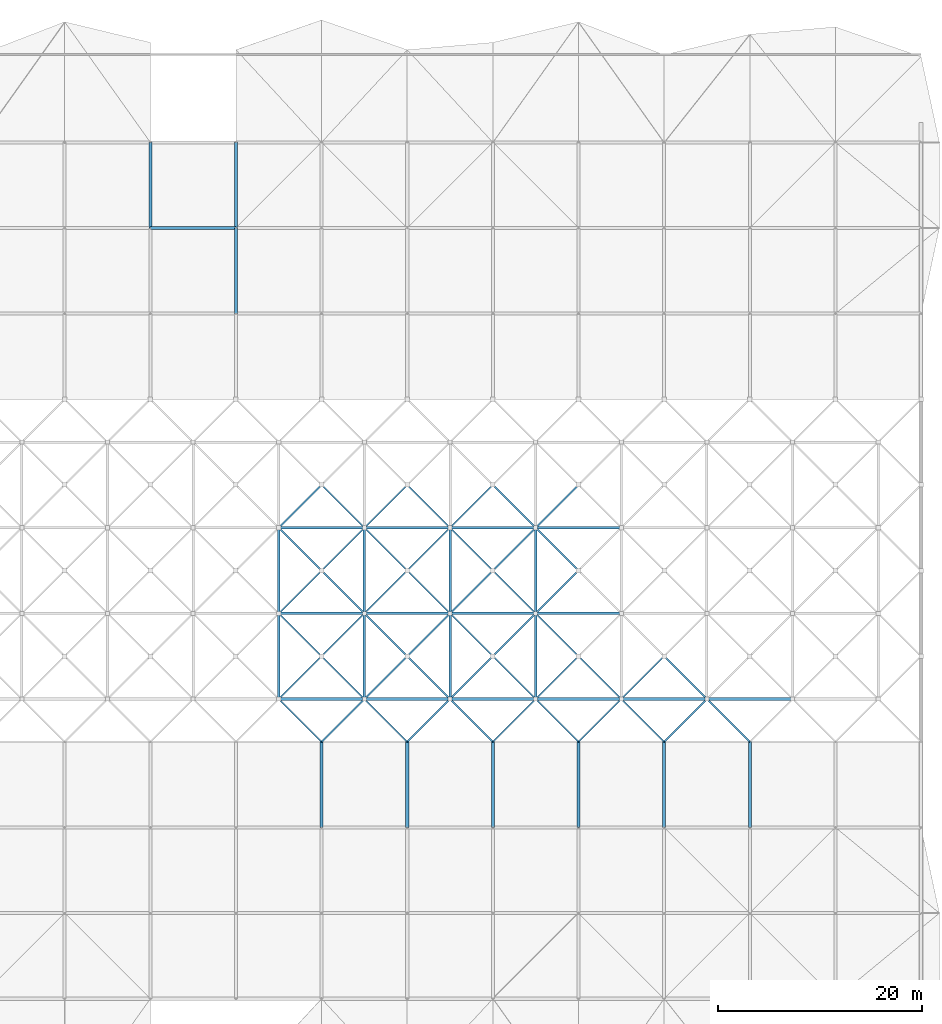
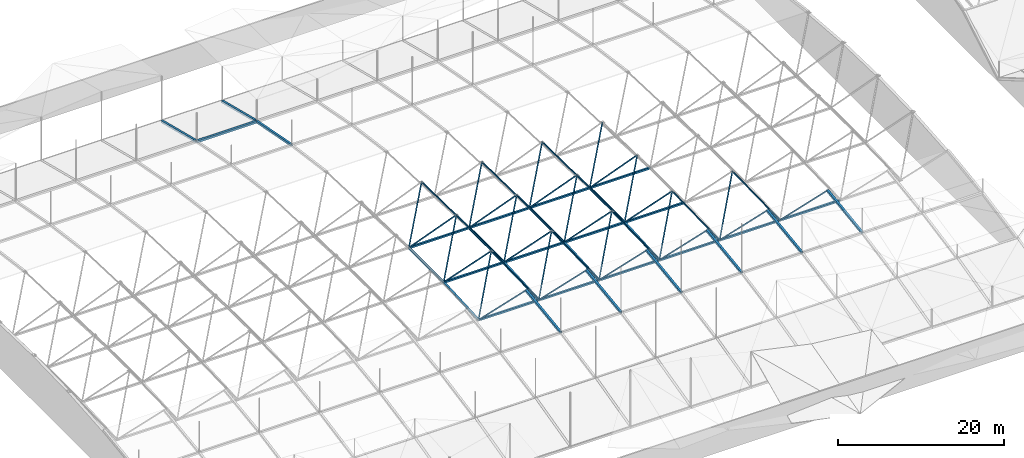
# One storey, part 7 of 111: 81 members.
"""IFC4 building model written with IfcOpenShell, lengths in metres."""

from ifc_helpers import new_model, si_unit, direction, frame, origin, origin_2d, place, context, subcontext, project, spatial, hollow_rectangle, extrude, material, material_profile, profile_set, type_object, element, save


model = new_model("IFC4")

# Units and contexts
model_context = context("Model", 3, precision=1e-05, world=origin(), true_north=direction((0.0, 1.0)))
body_context = subcontext(model_context, "Body", "Model", "MODEL_VIEW")
ifc_project = project(units=[si_unit("LENGTHUNIT", "METRE"), si_unit("AREAUNIT", "SQUARE_METRE"), si_unit("VOLUMEUNIT", "CUBIC_METRE"), si_unit("PLANEANGLEUNIT", "RADIAN"), si_unit("MASSUNIT", "GRAM", prefix="KILO")], contexts=[model_context])

# Site, building, storey
site_placement = place(None, origin())
site = spatial("IfcSite", under=ifc_project, at=site_placement, CompositionType="ELEMENT")
building_placement = place(site_placement, origin())
building = spatial("IfcBuilding", under=site, at=building_placement, Name="Rain Tree Exposition and Congress Centre", CompositionType="ELEMENT")
storey_placement = place(building_placement, frame((0.0, 0.0, 19.5)))
storey = spatial("IfcBuildingStorey", under=building, at=storey_placement, Name="RF", CompositionType="ELEMENT", Elevation=19.5)

# Members
ifc_material_1 = material(Name="Steel S355J2H", Category="steel")
ifc_material_profile_1 = material_profile(ifc_material_1, hollow_rectangle(XDim=0.14990234375, YDim=0.14990234375, WallThickness=0.00439453125, at=origin_2d()), Name="RHS 150x150x4.5")
ifc_profile_set_1 = profile_set([ifc_material_profile_1], Name="Steel S355J2H")
member_type_1 = type_object("IfcMemberType", Name="Steel brace member RHS 150x150x4.5", PredefinedType="BRACE", material=ifc_profile_set_1)
member_1_placement = place(storey_placement, frame((63.0, 138.60009765625, 0.38818359375), z_axis=(0.520964500452, -0.520994783804, 0.676136394907), x_axis=(0.707127332136, 0.70708622964, 0.0)))
element("IfcMember", 1, at=member_1_placement, inside=storey, type_object=member_type_1, Name="Diagonal 732", PredefinedType="BRACE", context=body_context, shape_type="SweptSolid", body=[
    extrude(hollow_rectangle(XDim=0.14990234375, YDim=0.14990234375, WallThickness=0.00439453125, at=origin_2d()), origin(), (0.0, 0.0, 1.0), 8.061767578125),
])
member_2_placement = place(storey_placement, frame((63.0, 138.60009765625, 0.38818359375), z_axis=(0.491865231884, 0.491865231884, 0.718426883773), x_axis=(-0.707106781187, 0.707106781187, 0.0)))
element("IfcMember", 2, at=member_2_placement, inside=storey, type_object=member_type_1, Name="Diagonal 734", PredefinedType="BRACE", context=body_context, shape_type="SweptSolid", body=[
    extrude(hollow_rectangle(XDim=0.14990234375, YDim=0.14990234375, WallThickness=0.00439453125, at=origin_2d()), origin(), (0.0, 0.0, 1.0), 8.538818359375),
])
member_3_placement = place(storey_placement, frame((71.39990234375, 138.60009765625, 0.38818359375), z_axis=(-0.520964500452, -0.520994783804, 0.676136394907), x_axis=(0.707127332136, -0.70708622964, 0.0)))
element("IfcMember", 3, at=member_3_placement, inside=storey, type_object=member_type_1, Name="Diagonal 737", PredefinedType="BRACE", context=body_context, shape_type="SweptSolid", body=[
    extrude(hollow_rectangle(XDim=0.14990234375, YDim=0.14990234375, WallThickness=0.00439453125, at=origin_2d()), origin(), (0.0, 0.0, 1.0), 8.061767578125),
])
member_4_placement = place(storey_placement, frame((71.39990234375, 138.60009765625, 0.38818359375), z_axis=(0.520986564258, -0.520986564258, 0.676125727749), x_axis=(0.707106781187, 0.707106781187, 0.0)))
element("IfcMember", 4, at=member_4_placement, inside=storey, type_object=member_type_1, Name="Diagonal 738", PredefinedType="BRACE", context=body_context, shape_type="SweptSolid", body=[
    extrude(hollow_rectangle(XDim=0.14990234375, YDim=0.14990234375, WallThickness=0.00439453125, at=origin_2d()), origin(), (0.0, 0.0, 1.0), 8.06201171875),
])
member_5_placement = place(storey_placement, frame((71.39990234375, 138.60009765625, 0.38818359375), z_axis=(-0.491865231884, 0.491865231884, 0.718426883773), x_axis=(-0.707106781187, -0.707106781187, 0.0)))
element("IfcMember", 5, at=member_5_placement, inside=storey, type_object=member_type_1, Name="Diagonal 739", PredefinedType="BRACE", context=body_context, shape_type="SweptSolid", body=[
    extrude(hollow_rectangle(XDim=0.14990234375, YDim=0.14990234375, WallThickness=0.00439453125, at=origin_2d()), origin(), (0.0, 0.0, 1.0), 8.538818359375),
])
member_6_placement = place(storey_placement, frame((71.39990234375, 138.60009765625, 0.38818359375), z_axis=(0.491886905994, 0.491858314567, 0.718416780221), x_axis=(-0.70708622964, 0.707127332136, 0.0)))
element("IfcMember", 6, at=member_6_placement, inside=storey, type_object=member_type_1, Name="Diagonal 740", PredefinedType="BRACE", context=body_context, shape_type="SweptSolid", body=[
    extrude(hollow_rectangle(XDim=0.14990234375, YDim=0.14990234375, WallThickness=0.00439453125, at=origin_2d()), origin(), (0.0, 0.0, 1.0), 8.5390625),
])
for number, where, z_axis, x_axis, name in (
    (7, (79.800048828125, 138.60009765625, 0.38818359375), (-0.520964500452, -0.520994783804, 0.676136394907), (0.707127332136, -0.70708622964, 0.0), "Diagonal 743"),
    (8, (79.800048828125, 138.60009765625, 0.38818359375), (0.520964500452, -0.520994783804, 0.676136394907), (0.707127332136, 0.70708622964, 0.0), "Diagonal 744"),
):
    element("IfcMember", number, at=place(storey_placement, frame(where, z_axis=z_axis, x_axis=x_axis)), inside=storey, type_object=member_type_1, Name=name, PredefinedType="BRACE", context=body_context, shape_type="SweptSolid", body=[
        extrude(hollow_rectangle(XDim=0.14990234375, YDim=0.14990234375, WallThickness=0.00439453125, at=origin_2d()), origin(), (0.0, 0.0, 1.0), 8.061767578125),
    ])
for number, where, z_axis, x_axis, name in (
    (9, (79.800048828125, 138.60009765625, 0.38818359375), (-0.491865231884, 0.491865231884, 0.718426883773), (-0.707106781187, -0.707106781187, 0.0), "Diagonal 745"),
    (10, (79.800048828125, 138.60009765625, 0.38818359375), (0.491865231884, 0.491865231884, 0.718426883773), (-0.707106781187, 0.707106781187, 0.0), "Diagonal 746"),
):
    element("IfcMember", number, at=place(storey_placement, frame(where, z_axis=z_axis, x_axis=x_axis)), inside=storey, type_object=member_type_1, Name=name, PredefinedType="BRACE", context=body_context, shape_type="SweptSolid", body=[
        extrude(hollow_rectangle(XDim=0.14990234375, YDim=0.14990234375, WallThickness=0.00439453125, at=origin_2d()), origin(), (0.0, 0.0, 1.0), 8.538818359375),
    ])
for number, where, z_axis, x_axis, name in (
    (11, (88.199951171875, 138.60009765625, 0.38818359375), (-0.520964500452, -0.520994783804, 0.676136394907), (0.707127332136, -0.70708622964, 0.0), "Diagonal 749"),
    (12, (88.199951171875, 138.60009765625, 0.38818359375), (0.520964500452, -0.520994783804, 0.676136394907), (0.707127332136, 0.70708622964, 0.0), "Diagonal 750"),
):
    element("IfcMember", number, at=place(storey_placement, frame(where, z_axis=z_axis, x_axis=x_axis)), inside=storey, type_object=member_type_1, Name=name, PredefinedType="BRACE", context=body_context, shape_type="SweptSolid", body=[
        extrude(hollow_rectangle(XDim=0.14990234375, YDim=0.14990234375, WallThickness=0.00439453125, at=origin_2d()), origin(), (0.0, 0.0, 1.0), 8.061767578125),
    ])
for number, where, z_axis, x_axis, name in (
    (13, (88.199951171875, 138.60009765625, 0.38818359375), (-0.491865231884, 0.491865231884, 0.718426883773), (-0.707106781187, -0.707106781187, 0.0), "Diagonal 751"),
    (14, (88.199951171875, 138.60009765625, 0.38818359375), (0.491865231884, 0.491865231884, 0.718426883773), (-0.707106781187, 0.707106781187, 0.0), "Diagonal 752"),
):
    element("IfcMember", number, at=place(storey_placement, frame(where, z_axis=z_axis, x_axis=x_axis)), inside=storey, type_object=member_type_1, Name=name, PredefinedType="BRACE", context=body_context, shape_type="SweptSolid", body=[
        extrude(hollow_rectangle(XDim=0.14990234375, YDim=0.14990234375, WallThickness=0.00439453125, at=origin_2d()), origin(), (0.0, 0.0, 1.0), 8.538818359375),
    ])
member_7_placement = place(storey_placement, frame((96.60009765625, 138.60009765625, 0.38818359375), z_axis=(-0.520986564258, -0.520986564258, 0.676125727749), x_axis=(0.707106781187, -0.707106781187, 0.0)))
element("IfcMember", 15, at=member_7_placement, inside=storey, type_object=member_type_1, Name="Diagonal 755", PredefinedType="BRACE", context=body_context, shape_type="SweptSolid", body=[
    extrude(hollow_rectangle(XDim=0.14990234375, YDim=0.14990234375, WallThickness=0.00439453125, at=origin_2d()), origin(), (0.0, 0.0, 1.0), 8.06201171875),
])
member_8_placement = place(storey_placement, frame((96.60009765625, 138.60009765625, 0.38818359375), z_axis=(0.520964500452, -0.520994783804, 0.676136394907), x_axis=(0.707127332136, 0.70708622964, 0.0)))
element("IfcMember", 16, at=member_8_placement, inside=storey, type_object=member_type_1, Name="Diagonal 756", PredefinedType="BRACE", context=body_context, shape_type="SweptSolid", body=[
    extrude(hollow_rectangle(XDim=0.14990234375, YDim=0.14990234375, WallThickness=0.00439453125, at=origin_2d()), origin(), (0.0, 0.0, 1.0), 8.061767578125),
])
member_9_placement = place(storey_placement, frame((96.60009765625, 138.60009765625, 0.38818359375), z_axis=(-0.491886905994, 0.491858314567, 0.718416780221), x_axis=(-0.70708622964, -0.707127332136, 0.0)))
element("IfcMember", 17, at=member_9_placement, inside=storey, type_object=member_type_1, Name="Diagonal 757", PredefinedType="BRACE", context=body_context, shape_type="SweptSolid", body=[
    extrude(hollow_rectangle(XDim=0.14990234375, YDim=0.14990234375, WallThickness=0.00439453125, at=origin_2d()), origin(), (0.0, 0.0, 1.0), 8.5390625),
])
member_10_placement = place(storey_placement, frame((96.60009765625, 138.60009765625, 0.38818359375), z_axis=(0.491865231884, 0.491865231884, 0.718426883773), x_axis=(-0.707106781187, 0.707106781187, 0.0)))
element("IfcMember", 18, at=member_10_placement, inside=storey, type_object=member_type_1, Name="Diagonal 758", PredefinedType="BRACE", context=body_context, shape_type="SweptSolid", body=[
    extrude(hollow_rectangle(XDim=0.14990234375, YDim=0.14990234375, WallThickness=0.00439453125, at=origin_2d()), origin(), (0.0, 0.0, 1.0), 8.538818359375),
])
for number, where, z_axis, x_axis, name in (
    (19, (105.0, 138.60009765625, 0.38818359375), (-0.520964500452, -0.520994783804, 0.676136394907), (0.707127332136, -0.70708622964, 0.0), "Diagonal 761"),
    (20, (105.0, 138.60009765625, 0.38818359375), (0.520964500452, -0.520994783804, 0.676136394907), (0.707127332136, 0.70708622964, 0.0), "Diagonal 762"),
):
    element("IfcMember", number, at=place(storey_placement, frame(where, z_axis=z_axis, x_axis=x_axis)), inside=storey, type_object=member_type_1, Name=name, PredefinedType="BRACE", context=body_context, shape_type="SweptSolid", body=[
        extrude(hollow_rectangle(XDim=0.14990234375, YDim=0.14990234375, WallThickness=0.00439453125, at=origin_2d()), origin(), (0.0, 0.0, 1.0), 8.061767578125),
    ])
member_11_placement = place(storey_placement, frame((105.0, 138.60009765625, 0.38818359375), z_axis=(-0.491865231884, 0.491865231884, 0.718426883773), x_axis=(-0.707106781187, -0.707106781187, 0.0)))
element("IfcMember", 21, at=member_11_placement, inside=storey, type_object=member_type_1, Name="Diagonal 763", PredefinedType="BRACE", context=body_context, shape_type="SweptSolid", body=[
    extrude(hollow_rectangle(XDim=0.14990234375, YDim=0.14990234375, WallThickness=0.00439453125, at=origin_2d()), origin(), (0.0, 0.0, 1.0), 8.538818359375),
])
member_12_placement = place(storey_placement, frame((63.0, 147.0, 0.84326171875), z_axis=(0.511068324122, -0.511068324122, 0.691099367788), x_axis=(0.707106781187, 0.707106781187, 0.0)))
element("IfcMember", 22, at=member_12_placement, inside=storey, type_object=member_type_1, Name="Diagonal 815", PredefinedType="BRACE", context=body_context, shape_type="SweptSolid", body=[
    extrude(hollow_rectangle(XDim=0.14990234375, YDim=0.14990234375, WallThickness=0.00439453125, at=origin_2d()), origin(), (0.0, 0.0, 1.0), 8.218017578125),
])
member_13_placement = place(storey_placement, frame((63.0, 147.0, 0.84326171875), z_axis=(0.501386241307, 0.501386241307, 0.705140889507), x_axis=(-0.707106781187, 0.707106781187, 0.0)))
element("IfcMember", 23, at=member_13_placement, inside=storey, type_object=member_type_1, Name="Diagonal 817", PredefinedType="BRACE", context=body_context, shape_type="SweptSolid", body=[
    extrude(hollow_rectangle(XDim=0.14990234375, YDim=0.14990234375, WallThickness=0.00439453125, at=origin_2d()), origin(), (0.0, 0.0, 1.0), 8.376708984375),
])
for number, where, z_axis, x_axis, name in (
    (24, (71.39990234375, 147.0, 0.84326171875), (-0.511068324122, -0.511068324122, 0.691099367788), (0.707106781187, -0.707106781187, 0.0), "Diagonal 820"),
    (25, (71.39990234375, 147.0, 0.84326171875), (0.511090272234, -0.511060564592, 0.691088874854), (0.70708622964, 0.707127332136, 0.0), "Diagonal 821"),
):
    element("IfcMember", number, at=place(storey_placement, frame(where, z_axis=z_axis, x_axis=x_axis)), inside=storey, type_object=member_type_1, Name=name, PredefinedType="BRACE", context=body_context, shape_type="SweptSolid", body=[
        extrude(hollow_rectangle(XDim=0.14990234375, YDim=0.14990234375, WallThickness=0.00439453125, at=origin_2d()), origin(), (0.0, 0.0, 1.0), 8.218017578125),
    ])
for number, where, z_axis, x_axis, name in (
    (26, (71.39990234375, 147.0, 0.84326171875), (-0.501386241307, 0.501386241307, 0.705140889507), (-0.707106781187, -0.707106781187, 0.0), "Diagonal 822"),
    (27, (71.39990234375, 147.0, 0.84326171875), (0.50140805933, 0.501378914477, 0.70513058518), (-0.70708622964, 0.707127332136, 0.0), "Diagonal 823"),
):
    element("IfcMember", number, at=place(storey_placement, frame(where, z_axis=z_axis, x_axis=x_axis)), inside=storey, type_object=member_type_1, Name=name, PredefinedType="BRACE", context=body_context, shape_type="SweptSolid", body=[
        extrude(hollow_rectangle(XDim=0.14990234375, YDim=0.14990234375, WallThickness=0.00439453125, at=origin_2d()), origin(), (0.0, 0.0, 1.0), 8.376708984375),
    ])
for number, where, z_axis, x_axis, name in (
    (28, (79.800048828125, 147.0, 0.84326171875), (-0.511068324122, -0.511068324122, 0.691099367788), (0.707106781187, -0.707106781187, 0.0), "Diagonal 826"),
    (29, (79.800048828125, 147.0, 0.84326171875), (0.511068324122, -0.511068324122, 0.691099367788), (0.707106781187, 0.707106781187, 0.0), "Diagonal 827"),
):
    element("IfcMember", number, at=place(storey_placement, frame(where, z_axis=z_axis, x_axis=x_axis)), inside=storey, type_object=member_type_1, Name=name, PredefinedType="BRACE", context=body_context, shape_type="SweptSolid", body=[
        extrude(hollow_rectangle(XDim=0.14990234375, YDim=0.14990234375, WallThickness=0.00439453125, at=origin_2d()), origin(), (0.0, 0.0, 1.0), 8.218017578125),
    ])
for number, where, z_axis, x_axis, name in (
    (30, (79.800048828125, 147.0, 0.84326171875), (-0.501386241307, 0.501386241307, 0.705140889507), (-0.707106781187, -0.707106781187, 0.0), "Diagonal 828"),
    (31, (79.800048828125, 147.0, 0.84326171875), (0.501386241307, 0.501386241307, 0.705140889507), (-0.707106781187, 0.707106781187, 0.0), "Diagonal 829"),
):
    element("IfcMember", number, at=place(storey_placement, frame(where, z_axis=z_axis, x_axis=x_axis)), inside=storey, type_object=member_type_1, Name=name, PredefinedType="BRACE", context=body_context, shape_type="SweptSolid", body=[
        extrude(hollow_rectangle(XDim=0.14990234375, YDim=0.14990234375, WallThickness=0.00439453125, at=origin_2d()), origin(), (0.0, 0.0, 1.0), 8.376708984375),
    ])
for number, where, z_axis, x_axis, name in (
    (32, (88.199951171875, 147.0, 0.84326171875), (-0.511068324122, -0.511068324122, 0.691099367788), (0.707106781187, -0.707106781187, 0.0), "Diagonal 832"),
    (33, (88.199951171875, 147.0, 0.84326171875), (0.511068324122, -0.511068324122, 0.691099367788), (0.707106781187, 0.707106781187, 0.0), "Diagonal 833"),
):
    element("IfcMember", number, at=place(storey_placement, frame(where, z_axis=z_axis, x_axis=x_axis)), inside=storey, type_object=member_type_1, Name=name, PredefinedType="BRACE", context=body_context, shape_type="SweptSolid", body=[
        extrude(hollow_rectangle(XDim=0.14990234375, YDim=0.14990234375, WallThickness=0.00439453125, at=origin_2d()), origin(), (0.0, 0.0, 1.0), 8.218017578125),
    ])
for number, where, z_axis, x_axis, name in (
    (34, (88.199951171875, 147.0, 0.84326171875), (-0.501386241307, 0.501386241307, 0.705140889507), (-0.707106781187, -0.707106781187, 0.0), "Diagonal 834"),
    (35, (88.199951171875, 147.0, 0.84326171875), (0.501386241307, 0.501386241307, 0.705140889507), (-0.707106781187, 0.707106781187, 0.0), "Diagonal 835"),
    (36, (63.0, 155.39990234375, 0.84326171875), (0.501386241307, -0.501386241307, 0.705140889507), (0.707106781187, 0.707106781187, 0.0), "Diagonal 898"),
):
    element("IfcMember", number, at=place(storey_placement, frame(where, z_axis=z_axis, x_axis=x_axis)), inside=storey, type_object=member_type_1, Name=name, PredefinedType="BRACE", context=body_context, shape_type="SweptSolid", body=[
        extrude(hollow_rectangle(XDim=0.14990234375, YDim=0.14990234375, WallThickness=0.00439453125, at=origin_2d()), origin(), (0.0, 0.0, 1.0), 8.376708984375),
    ])
member_14_placement = place(storey_placement, frame((63.0, 155.39990234375, 0.84326171875), z_axis=(0.511060564592, 0.511090272234, 0.691088874854), x_axis=(-0.707127332136, 0.70708622964, 0.0)))
element("IfcMember", 37, at=member_14_placement, inside=storey, type_object=member_type_1, Name="Diagonal 900", PredefinedType="BRACE", context=body_context, shape_type="SweptSolid", body=[
    extrude(hollow_rectangle(XDim=0.14990234375, YDim=0.14990234375, WallThickness=0.00439453125, at=origin_2d()), origin(), (0.0, 0.0, 1.0), 8.218017578125),
])
for number, where, z_axis, x_axis, name in (
    (38, (71.39990234375, 155.39990234375, 0.84326171875), (-0.501386241307, -0.501386241307, 0.705140889507), (0.707106781187, -0.707106781187, 0.0), "Diagonal 903"),
    (39, (71.39990234375, 155.39990234375, 0.84326171875), (0.50140805933, -0.501378914477, 0.70513058518), (0.70708622964, 0.707127332136, 0.0), "Diagonal 904"),
):
    element("IfcMember", number, at=place(storey_placement, frame(where, z_axis=z_axis, x_axis=x_axis)), inside=storey, type_object=member_type_1, Name=name, PredefinedType="BRACE", context=body_context, shape_type="SweptSolid", body=[
        extrude(hollow_rectangle(XDim=0.14990234375, YDim=0.14990234375, WallThickness=0.00439453125, at=origin_2d()), origin(), (0.0, 0.0, 1.0), 8.376708984375),
    ])
member_15_placement = place(storey_placement, frame((71.39990234375, 155.39990234375, 0.84326171875), z_axis=(-0.511060564592, 0.511090272234, 0.691088874854), x_axis=(-0.707127332136, -0.70708622964, 0.0)))
element("IfcMember", 40, at=member_15_placement, inside=storey, type_object=member_type_1, Name="Diagonal 905", PredefinedType="BRACE", context=body_context, shape_type="SweptSolid", body=[
    extrude(hollow_rectangle(XDim=0.14990234375, YDim=0.14990234375, WallThickness=0.00439453125, at=origin_2d()), origin(), (0.0, 0.0, 1.0), 8.218017578125),
])
member_16_placement = place(storey_placement, frame((71.39990234375, 155.39990234375, 0.84326171875), z_axis=(0.511082512606, 0.511082512606, 0.691078382397), x_axis=(-0.707106781187, 0.707106781187, 0.0)))
element("IfcMember", 41, at=member_16_placement, inside=storey, type_object=member_type_1, Name="Diagonal 906", PredefinedType="BRACE", context=body_context, shape_type="SweptSolid", body=[
    extrude(hollow_rectangle(XDim=0.14990234375, YDim=0.14990234375, WallThickness=0.00439453125, at=origin_2d()), origin(), (0.0, 0.0, 1.0), 8.21826171875),
])
for number, where, z_axis, x_axis, name in (
    (42, (79.800048828125, 155.39990234375, 0.84326171875), (-0.501386241307, -0.501386241307, 0.705140889507), (0.707106781187, -0.707106781187, 0.0), "Diagonal 909"),
    (43, (79.800048828125, 155.39990234375, 0.84326171875), (0.501386241307, -0.501386241307, 0.705140889507), (0.707106781187, 0.707106781187, 0.0), "Diagonal 910"),
):
    element("IfcMember", number, at=place(storey_placement, frame(where, z_axis=z_axis, x_axis=x_axis)), inside=storey, type_object=member_type_1, Name=name, PredefinedType="BRACE", context=body_context, shape_type="SweptSolid", body=[
        extrude(hollow_rectangle(XDim=0.14990234375, YDim=0.14990234375, WallThickness=0.00439453125, at=origin_2d()), origin(), (0.0, 0.0, 1.0), 8.376708984375),
    ])
for number, where, z_axis, x_axis, name in (
    (44, (79.800048828125, 155.39990234375, 0.84326171875), (-0.511060564592, 0.511090272234, 0.691088874854), (-0.707127332136, -0.70708622964, 0.0), "Diagonal 911"),
    (45, (79.800048828125, 155.39990234375, 0.84326171875), (0.511060564592, 0.511090272234, 0.691088874854), (-0.707127332136, 0.70708622964, 0.0), "Diagonal 912"),
):
    element("IfcMember", number, at=place(storey_placement, frame(where, z_axis=z_axis, x_axis=x_axis)), inside=storey, type_object=member_type_1, Name=name, PredefinedType="BRACE", context=body_context, shape_type="SweptSolid", body=[
        extrude(hollow_rectangle(XDim=0.14990234375, YDim=0.14990234375, WallThickness=0.00439453125, at=origin_2d()), origin(), (0.0, 0.0, 1.0), 8.218017578125),
    ])
for number, where, z_axis, x_axis, name in (
    (46, (88.199951171875, 155.39990234375, 0.84326171875), (-0.501386241307, -0.501386241307, 0.705140889507), (0.707106781187, -0.707106781187, 0.0), "Diagonal 915"),
    (47, (88.199951171875, 155.39990234375, 0.84326171875), (0.501386241307, -0.501386241307, 0.705140889507), (0.707106781187, 0.707106781187, 0.0), "Diagonal 916"),
):
    element("IfcMember", number, at=place(storey_placement, frame(where, z_axis=z_axis, x_axis=x_axis)), inside=storey, type_object=member_type_1, Name=name, PredefinedType="BRACE", context=body_context, shape_type="SweptSolid", body=[
        extrude(hollow_rectangle(XDim=0.14990234375, YDim=0.14990234375, WallThickness=0.00439453125, at=origin_2d()), origin(), (0.0, 0.0, 1.0), 8.376708984375),
    ])
for number, where, z_axis, x_axis, name in (
    (48, (88.199951171875, 155.39990234375, 0.84326171875), (-0.511060564592, 0.511090272234, 0.691088874854), (-0.707127332136, -0.70708622964, 0.0), "Diagonal 917"),
    (49, (88.199951171875, 155.39990234375, 0.84326171875), (0.511060564592, 0.511090272234, 0.691088874854), (-0.707127332136, 0.70708622964, 0.0), "Diagonal 918"),
):
    element("IfcMember", number, at=place(storey_placement, frame(where, z_axis=z_axis, x_axis=x_axis)), inside=storey, type_object=member_type_1, Name=name, PredefinedType="BRACE", context=body_context, shape_type="SweptSolid", body=[
        extrude(hollow_rectangle(XDim=0.14990234375, YDim=0.14990234375, WallThickness=0.00439453125, at=origin_2d()), origin(), (0.0, 0.0, 1.0), 8.218017578125),
    ])
ifc_material_2 = material(Name="Steel S355J2H", Category="steel")
ifc_material_profile_2 = material_profile(ifc_material_2, hollow_rectangle(XDim=0.25, YDim=0.25, WallThickness=0.006103515625, at=origin_2d()), Name="RHS 250x250x6")
ifc_profile_set_2 = profile_set([ifc_material_profile_2], Name="Steel S355J2H")
member_type_2 = type_object("IfcMemberType", Name="Steel chord member RHS 250x250x6", PredefinedType="CHORD", material=ifc_profile_set_2)
member_17_placement = place(storey_placement, frame((63.0, 138.60009765625, 0.38818359375), z_axis=(1.0, 0.0, 0.0), x_axis=(0.0, 1.0, 0.0)))
element("IfcMember", 50, at=member_17_placement, inside=storey, type_object=member_type_2, Name="Bottom chord 735", PredefinedType="CHORD", context=body_context, shape_type="SweptSolid", body=[
    extrude(hollow_rectangle(XDim=0.25, YDim=0.25, WallThickness=0.006103515625, at=origin_2d()), origin(), (0.0, 0.0, 1.0), 8.39990234375),
])
member_18_placement = place(storey_placement, frame((63.0, 138.60009765625, 0.38818359375), z_axis=(0.0, 0.998535670844, 0.054097264734), x_axis=(-1.0, 0.0, 0.0)))
element("IfcMember", 51, at=member_18_placement, inside=storey, type_object=member_type_2, Name="Bottom chord 736", PredefinedType="CHORD", context=body_context, shape_type="SweptSolid", body=[
    extrude(hollow_rectangle(XDim=0.25, YDim=0.25, WallThickness=0.006103515625, at=origin_2d()), origin(), (0.0, 0.0, 1.0), 8.412109375),
])
member_19_placement = place(storey_placement, frame((71.39990234375, 138.60009765625, 0.38818359375), z_axis=(1.0, 0.0, 0.0), x_axis=(0.0, 1.0, 0.0)))
element("IfcMember", 52, at=member_19_placement, inside=storey, type_object=member_type_2, Name="Bottom chord 741", PredefinedType="CHORD", context=body_context, shape_type="SweptSolid", body=[
    extrude(hollow_rectangle(XDim=0.25, YDim=0.25, WallThickness=0.006103515625, at=origin_2d()), origin(), (0.0, 0.0, 1.0), 8.400146484375),
])
member_20_placement = place(storey_placement, frame((71.39990234375, 138.60009765625, 0.38818359375), z_axis=(0.0, 0.998535670844, 0.054097264734), x_axis=(-1.0, 0.0, 0.0)))
element("IfcMember", 53, at=member_20_placement, inside=storey, type_object=member_type_2, Name="Bottom chord 742", PredefinedType="CHORD", context=body_context, shape_type="SweptSolid", body=[
    extrude(hollow_rectangle(XDim=0.25, YDim=0.25, WallThickness=0.006103515625, at=origin_2d()), origin(), (0.0, 0.0, 1.0), 8.412109375),
])
member_21_placement = place(storey_placement, frame((79.800048828125, 138.60009765625, 0.38818359375), z_axis=(1.0, 0.0, 0.0), x_axis=(0.0, 1.0, 0.0)))
element("IfcMember", 54, at=member_21_placement, inside=storey, type_object=member_type_2, Name="Bottom chord 747", PredefinedType="CHORD", context=body_context, shape_type="SweptSolid", body=[
    extrude(hollow_rectangle(XDim=0.25, YDim=0.25, WallThickness=0.006103515625, at=origin_2d()), origin(), (0.0, 0.0, 1.0), 8.39990234375),
])
member_22_placement = place(storey_placement, frame((79.800048828125, 138.60009765625, 0.38818359375), z_axis=(0.0, 0.998535670844, 0.054097264734), x_axis=(-1.0, 0.0, 0.0)))
element("IfcMember", 55, at=member_22_placement, inside=storey, type_object=member_type_2, Name="Bottom chord 748", PredefinedType="CHORD", context=body_context, shape_type="SweptSolid", body=[
    extrude(hollow_rectangle(XDim=0.25, YDim=0.25, WallThickness=0.006103515625, at=origin_2d()), origin(), (0.0, 0.0, 1.0), 8.412109375),
])
member_23_placement = place(storey_placement, frame((88.199951171875, 138.60009765625, 0.38818359375), z_axis=(1.0, 0.0, 0.0), x_axis=(0.0, 1.0, 0.0)))
element("IfcMember", 56, at=member_23_placement, inside=storey, type_object=member_type_2, Name="Bottom chord 753", PredefinedType="CHORD", context=body_context, shape_type="SweptSolid", body=[
    extrude(hollow_rectangle(XDim=0.25, YDim=0.25, WallThickness=0.006103515625, at=origin_2d()), origin(), (0.0, 0.0, 1.0), 8.400146484375),
])
member_24_placement = place(storey_placement, frame((88.199951171875, 138.60009765625, 0.38818359375), z_axis=(0.0, 0.998535670844, 0.054097264734), x_axis=(-1.0, 0.0, 0.0)))
element("IfcMember", 57, at=member_24_placement, inside=storey, type_object=member_type_2, Name="Bottom chord 754", PredefinedType="CHORD", context=body_context, shape_type="SweptSolid", body=[
    extrude(hollow_rectangle(XDim=0.25, YDim=0.25, WallThickness=0.006103515625, at=origin_2d()), origin(), (0.0, 0.0, 1.0), 8.412109375),
])
for number, where, z_axis, x_axis, name in (
    (58, (96.60009765625, 138.60009765625, 0.38818359375), (1.0, 0.0, 0.0), (0.0, 1.0, 0.0), "Bottom chord 759"),
    (59, (105.0, 138.60009765625, 0.38818359375), (1.0, 0.0, 0.0), (0.0, 1.0, 0.0), "Bottom chord 765"),
    (60, (63.0, 147.0, 0.84326171875), (1.0, 0.0, 0.0), (0.0, 1.0, 0.0), "Bottom chord 818"),
    (61, (63.0, 147.0, 0.84326171875), (0.0, 1.0, 0.0), (-1.0, 0.0, 0.0), "Bottom chord 819"),
):
    element("IfcMember", number, at=place(storey_placement, frame(where, z_axis=z_axis, x_axis=x_axis)), inside=storey, type_object=member_type_2, Name=name, PredefinedType="CHORD", context=body_context, shape_type="SweptSolid", body=[
        extrude(hollow_rectangle(XDim=0.25, YDim=0.25, WallThickness=0.006103515625, at=origin_2d()), origin(), (0.0, 0.0, 1.0), 8.39990234375),
    ])
member_25_placement = place(storey_placement, frame((71.39990234375, 147.0, 0.84326171875), z_axis=(1.0, 0.0, 0.0), x_axis=(0.0, 1.0, 0.0)))
element("IfcMember", 62, at=member_25_placement, inside=storey, type_object=member_type_2, Name="Bottom chord 824", PredefinedType="CHORD", context=body_context, shape_type="SweptSolid", body=[
    extrude(hollow_rectangle(XDim=0.25, YDim=0.25, WallThickness=0.006103515625, at=origin_2d()), origin(), (0.0, 0.0, 1.0), 8.400146484375),
])
for number, where, z_axis, x_axis, name in (
    (63, (71.39990234375, 147.0, 0.84326171875), (0.0, 1.0, 0.0), (-1.0, 0.0, 0.0), "Bottom chord 825"),
    (64, (79.800048828125, 147.0, 0.84326171875), (1.0, 0.0, 0.0), (0.0, 1.0, 0.0), "Bottom chord 830"),
    (65, (79.800048828125, 147.0, 0.84326171875), (0.0, 1.0, 0.0), (-1.0, 0.0, 0.0), "Bottom chord 831"),
):
    element("IfcMember", number, at=place(storey_placement, frame(where, z_axis=z_axis, x_axis=x_axis)), inside=storey, type_object=member_type_2, Name=name, PredefinedType="CHORD", context=body_context, shape_type="SweptSolid", body=[
        extrude(hollow_rectangle(XDim=0.25, YDim=0.25, WallThickness=0.006103515625, at=origin_2d()), origin(), (0.0, 0.0, 1.0), 8.39990234375),
    ])
member_26_placement = place(storey_placement, frame((88.199951171875, 147.0, 0.84326171875), z_axis=(1.0, 0.0, 0.0), x_axis=(0.0, 1.0, 0.0)))
element("IfcMember", 66, at=member_26_placement, inside=storey, type_object=member_type_2, Name="Bottom chord 836", PredefinedType="CHORD", context=body_context, shape_type="SweptSolid", body=[
    extrude(hollow_rectangle(XDim=0.25, YDim=0.25, WallThickness=0.006103515625, at=origin_2d()), origin(), (0.0, 0.0, 1.0), 8.400146484375),
])
for number, where, z_axis, x_axis, name in (
    (67, (88.199951171875, 147.0, 0.84326171875), (0.0, 1.0, 0.0), (-1.0, 0.0, 0.0), "Bottom chord 837"),
    (68, (63.0, 155.39990234375, 0.84326171875), (1.0, 0.0, 0.0), (0.0, 1.0, 0.0), "Bottom chord 901"),
):
    element("IfcMember", number, at=place(storey_placement, frame(where, z_axis=z_axis, x_axis=x_axis)), inside=storey, type_object=member_type_2, Name=name, PredefinedType="CHORD", context=body_context, shape_type="SweptSolid", body=[
        extrude(hollow_rectangle(XDim=0.25, YDim=0.25, WallThickness=0.006103515625, at=origin_2d()), origin(), (0.0, 0.0, 1.0), 8.39990234375),
    ])
member_27_placement = place(storey_placement, frame((71.39990234375, 155.39990234375, 0.84326171875), z_axis=(1.0, 0.0, 0.0), x_axis=(0.0, 1.0, 0.0)))
element("IfcMember", 69, at=member_27_placement, inside=storey, type_object=member_type_2, Name="Bottom chord 907", PredefinedType="CHORD", context=body_context, shape_type="SweptSolid", body=[
    extrude(hollow_rectangle(XDim=0.25, YDim=0.25, WallThickness=0.006103515625, at=origin_2d()), origin(), (0.0, 0.0, 1.0), 8.400146484375),
])
member_28_placement = place(storey_placement, frame((79.800048828125, 155.39990234375, 0.84326171875), z_axis=(1.0, 0.0, 0.0), x_axis=(0.0, 1.0, 0.0)))
element("IfcMember", 70, at=member_28_placement, inside=storey, type_object=member_type_2, Name="Bottom chord 913", PredefinedType="CHORD", context=body_context, shape_type="SweptSolid", body=[
    extrude(hollow_rectangle(XDim=0.25, YDim=0.25, WallThickness=0.006103515625, at=origin_2d()), origin(), (0.0, 0.0, 1.0), 8.39990234375),
])
member_29_placement = place(storey_placement, frame((88.199951171875, 155.39990234375, 0.84326171875), z_axis=(1.0, 0.0, 0.0), x_axis=(0.0, 1.0, 0.0)))
element("IfcMember", 71, at=member_29_placement, inside=storey, type_object=member_type_2, Name="Bottom chord 919", PredefinedType="CHORD", context=body_context, shape_type="SweptSolid", body=[
    extrude(hollow_rectangle(XDim=0.25, YDim=0.25, WallThickness=0.006103515625, at=origin_2d()), origin(), (0.0, 0.0, 1.0), 8.400146484375),
])
ifc_material_3 = material(Name="Steel S355J2H", Category="steel")
ifc_material_profile_3 = material_profile(ifc_material_3, hollow_rectangle(XDim=0.300048828125, YDim=0.300048828125, WallThickness=0.009033203125, at=origin_2d()), Name="RHS 300x300x9")
ifc_profile_set_3 = profile_set([ifc_material_profile_3], Name="Steel S355J2H")
member_type_3 = type_object("IfcMemberType", Name="Steel chord member RHS 300x300x9", PredefinedType="CHORD", material=ifc_profile_set_3)
member_30_placement = place(storey_placement, frame((50.39990234375, 184.800048828125, 3.07421875), z_axis=(1.0, 0.0, 0.0), x_axis=(0.0, 1.0, 0.0)))
element("IfcMember", 72, at=member_30_placement, inside=storey, type_object=member_type_3, Name="Top chord 146", PredefinedType="CHORD", context=body_context, shape_type="SweptSolid", body=[
    extrude(hollow_rectangle(XDim=0.300048828125, YDim=0.300048828125, WallThickness=0.009033203125, at=origin_2d()), origin(), (0.0, 0.0, 1.0), 8.400146484375),
])
member_31_placement = place(storey_placement, frame((50.39990234375, 184.800048828125, 3.07421875), z_axis=(0.0, 0.969939850681, -0.24334478844), x_axis=(-1.0, 0.0, 0.0)))
element("IfcMember", 73, at=member_31_placement, inside=storey, type_object=member_type_3, Name="Top chord 253", PredefinedType="CHORD", context=body_context, shape_type="SweptSolid", body=[
    extrude(hollow_rectangle(XDim=0.300048828125, YDim=0.300048828125, WallThickness=0.009033203125, at=origin_2d()), origin(), (0.0, 0.0, 1.0), 8.66015625),
])
member_32_placement = place(storey_placement, frame((58.800048828125, 176.39990234375, 4.693115234375), z_axis=(0.0, 0.981930848806, -0.189240080752), x_axis=(-1.0, 0.0, 0.0)))
element("IfcMember", 74, at=member_32_placement, inside=storey, type_object=member_type_3, Name="Top chord 264", PredefinedType="CHORD", context=body_context, shape_type="SweptSolid", body=[
    extrude(hollow_rectangle(XDim=0.300048828125, YDim=0.300048828125, WallThickness=0.009033203125, at=origin_2d()), origin(), (0.0, 0.0, 1.0), 8.5546875),
])
member_33_placement = place(storey_placement, frame((58.800048828125, 184.800048828125, 3.07421875), z_axis=(0.0, 0.969939850681, -0.24334478844), x_axis=(-1.0, 0.0, 0.0)))
element("IfcMember", 75, at=member_33_placement, inside=storey, type_object=member_type_3, Name="Top chord 265", PredefinedType="CHORD", context=body_context, shape_type="SweptSolid", body=[
    extrude(hollow_rectangle(XDim=0.300048828125, YDim=0.300048828125, WallThickness=0.009033203125, at=origin_2d()), origin(), (0.0, 0.0, 1.0), 8.66015625),
])
for number, where, z_axis, x_axis, name in (
    (76, (67.199951171875, 126.0, 4.693115234375), (0.0, 0.990821403915, 0.135177459454), (-1.0, 0.0, 0.0), "Top chord 270"),
    (77, (75.60009765625, 126.0, 4.693115234375), (0.0, 0.990821403915, 0.135177459454), (-1.0, 0.0, 0.0), "Top chord 282"),
    (78, (84.0, 126.0, 4.693115234375), (0.0, 0.990821403915, 0.135177459454), (-1.0, 0.0, 0.0), "Top chord 294"),
    (79, (92.39990234375, 126.0, 4.693115234375), (0.0, 0.990821403915, 0.135177459454), (-1.0, 0.0, 0.0), "Top chord 306"),
    (80, (100.800048828125, 126.0, 4.693115234375), (0.0, 0.990821403915, 0.135177459454), (-1.0, 0.0, 0.0), "Top chord 318"),
    (81, (109.199951171875, 126.0, 4.693115234375), (0.0, 0.990821403915, 0.135177459454), (-1.0, 0.0, 0.0), "Top chord 330"),
):
    element("IfcMember", number, at=place(storey_placement, frame(where, z_axis=z_axis, x_axis=x_axis)), inside=storey, type_object=member_type_3, Name=name, PredefinedType="CHORD", context=body_context, shape_type="SweptSolid", body=[
        extrude(hollow_rectangle(XDim=0.300048828125, YDim=0.300048828125, WallThickness=0.009033203125, at=origin_2d()), origin(), (0.0, 0.0, 1.0), 8.477783203125),
    ])

save(model, "model.ifc")
